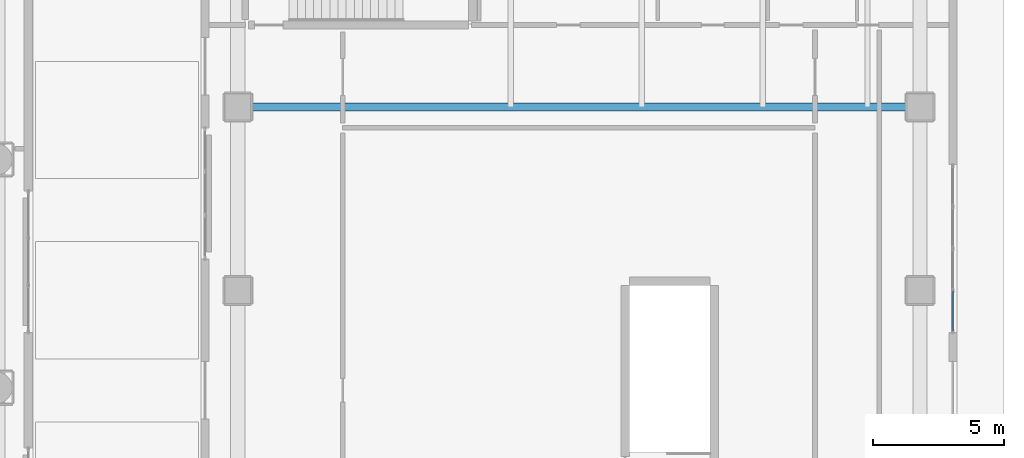
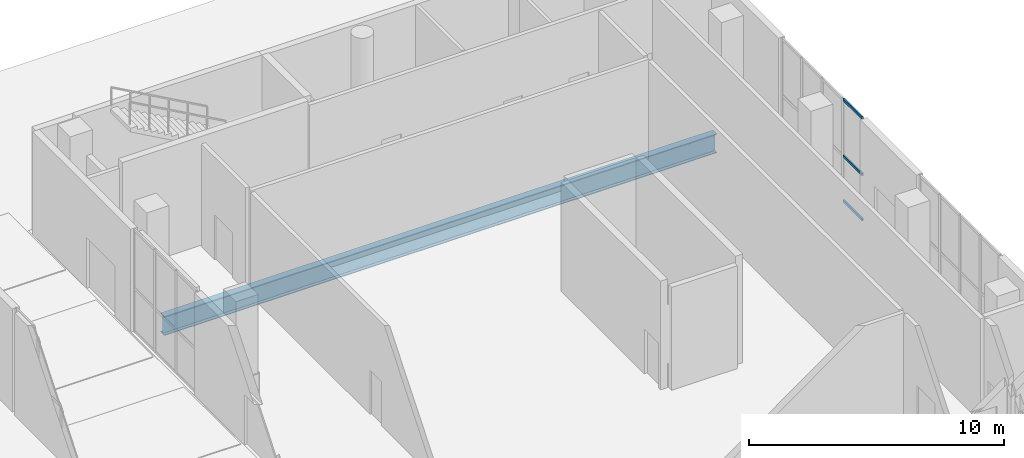
# One storey, part 15 of 30: 3 members, 1 beam, 1 element without a shape of its own.
"""IFC4 building model written with IfcOpenShell, lengths in metres."""

from ifc_helpers import new_model, si_unit, direction, frame, origin, origin_2d, place, context, subcontext, project, spatial, hollow_rectangle, i_section, extrude, material, layer, layer_set, material_profile, profile_set, type_object, element, aggregate, save


model = new_model("IFC4")

# Units and contexts
model_context = context("Model", 3, precision=1e-05, world=origin(), true_north=direction((0.0, 1.0)))
body_context = subcontext(model_context, "Body", "Model", "MODEL_VIEW")
ifc_project = project(units=[si_unit("LENGTHUNIT", "METRE"), si_unit("AREAUNIT", "SQUARE_METRE"), si_unit("VOLUMEUNIT", "CUBIC_METRE"), si_unit("PLANEANGLEUNIT", "RADIAN"), si_unit("MASSUNIT", "GRAM", prefix="KILO")], contexts=[model_context])

# Site, building, storey
site_placement = place(None, origin())
site = spatial("IfcSite", under=ifc_project, at=site_placement, CompositionType="ELEMENT")
building_placement = place(site_placement, origin())
building = spatial("IfcBuilding", under=site, at=building_placement, Name="Solanera Arch Residences", CompositionType="ELEMENT")
storey_placement = place(building_placement, origin())
storey = spatial("IfcBuildingStorey", under=building, at=storey_placement, Name="L00", CompositionType="ELEMENT", Elevation=0.0)

# Curtain wall, members
ifc_material_1 = material(Name="Anodised Aluminium Alloy 6063-T6", Category="aluminium")
ifc_layer = layer(ifc_material_1, 0.14990234375)
ifc_layer_set = layer_set([ifc_layer], Name="Anodised Aluminium Alloy 6063-T6")
curtain_wall_type = type_object("IfcCurtainWallType", Name="CW-2 Paseo Shopfront Glazing", PredefinedType="USERDEFINED", material=ifc_layer_set)
curtain_wall_placement = place(storey_placement, origin())
curtain_wall = element("IfcCurtainWall", 1, at=curtain_wall_placement, inside=storey, type_object=curtain_wall_type, Name="L00 Sports Hall East Promenade Glazing 1", ObjectType="CURTAIN_WALL", PredefinedType="USERDEFINED")
ifc_material_2 = material(Name="Anodised Aluminium Alloy 6063-T6", Category="aluminium")
ifc_material_profile_1 = material_profile(ifc_material_2, hollow_rectangle(XDim=0.070068359375, YDim=0.1201171875, WallThickness=0.00390625, at=origin_2d()))
ifc_profile_set_1 = profile_set([ifc_material_profile_1], Name="Anodised Aluminium Alloy 6063-T6")
member_type = type_object("IfcMemberType", Name="Curtain Wall Transom ALU-TRN-70X120", PredefinedType="USERDEFINED", material=ifc_profile_set_1)
member_1_placement = place(storey_placement, frame((83.050048828125, 34.364990234375, 0.034912109375), z_axis=(0.0, -1.0, 0.0), x_axis=(1.0, 0.0, 0.0)))
member_1 = element("IfcMember", 2, at=member_1_placement, type_object=member_type, Name="CW-2 transom 4.1", ObjectType="TRANSOM", PredefinedType="USERDEFINED", context=body_context, shape_type="SweptSolid", body=[
    extrude(hollow_rectangle(XDim=0.070068359375, YDim=0.1201171875, WallThickness=0.00390625, at=origin_2d()), origin(), (0.0, 0.0, 1.0), 1.494873046875),
])
member_2_placement = place(storey_placement, frame((83.050048828125, 34.364990234375, 2.199951171875), z_axis=(0.0, -1.0, 0.0), x_axis=(1.0, 0.0, 0.0)))
member_2 = element("IfcMember", 3, at=member_2_placement, type_object=member_type, Name="CW-2 transom 4.2", ObjectType="TRANSOM", PredefinedType="USERDEFINED", context=body_context, shape_type="SweptSolid", body=[
    extrude(hollow_rectangle(XDim=0.070068359375, YDim=0.1201171875, WallThickness=0.00390625, at=origin_2d()), origin(), (0.0, 0.0, 1.0), 1.494873046875),
])
member_3_placement = place(storey_placement, frame((83.050048828125, 34.364990234375, 4.885009765625), z_axis=(0.0, -1.0, 0.0), x_axis=(1.0, 0.0, 0.0)))
member_3 = element("IfcMember", 4, at=member_3_placement, type_object=member_type, Name="CW-2 transom 4.3", ObjectType="TRANSOM", PredefinedType="USERDEFINED", context=body_context, shape_type="SweptSolid", body=[
    extrude(hollow_rectangle(XDim=0.070068359375, YDim=0.1201171875, WallThickness=0.00390625, at=origin_2d()), origin(), (0.0, 0.0, 1.0), 1.494873046875),
])
aggregate(curtain_wall, [member_1, member_2, member_3])

# Beam
ifc_material_3 = material(Name="Steel S355 (ASTM A992 / A572 Grade 50)", Category="steel")
ifc_material_profile_2 = material_profile(ifc_material_3, i_section(OverallWidth=0.306884765625, OverallDepth=0.912109375, WebThickness=0.01953125, FlangeThickness=0.031982421875, at=origin_2d()))
ifc_profile_set_2 = profile_set([ifc_material_profile_2], Name="Steel S355 (ASTM A992 / A572 Grade 50)")
beam_type = type_object("IfcBeamType", Name="Primary Beam W920X342", PredefinedType="BEAM", material=ifc_profile_set_2)
beam_placement = place(storey_placement, frame((56.300048828125, 41.39990234375, -0.77587890625), z_axis=(1.0, 0.0, 0.0), x_axis=(0.0, 1.0, 0.0)))
element("IfcBeam", 5, at=beam_placement, inside=storey, type_object=beam_type, Name="BM-L00-HCN", PredefinedType="BEAM", context=body_context, shape_type="SweptSolid", body=[
    extrude(i_section(OverallWidth=0.306884765625, OverallDepth=0.912109375, WebThickness=0.01953125, FlangeThickness=0.031982421875, at=origin_2d()), origin(), (0.0, 0.0, 1.0), 25.0),
])

save(model, "model.ifc")
